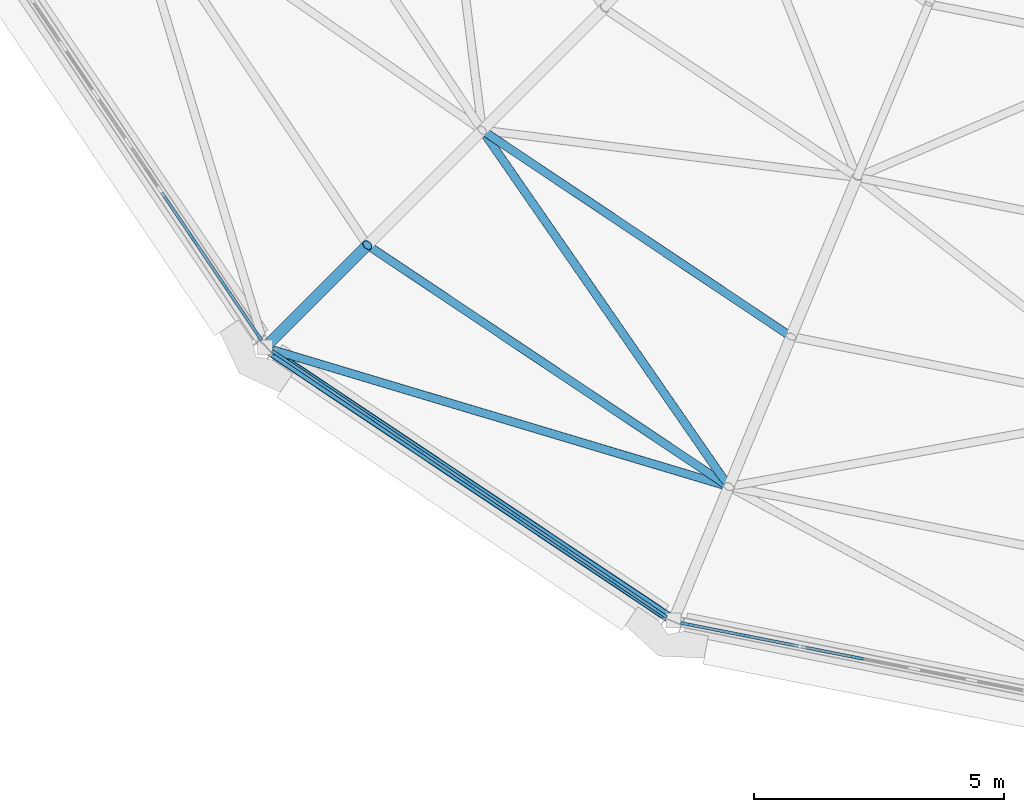
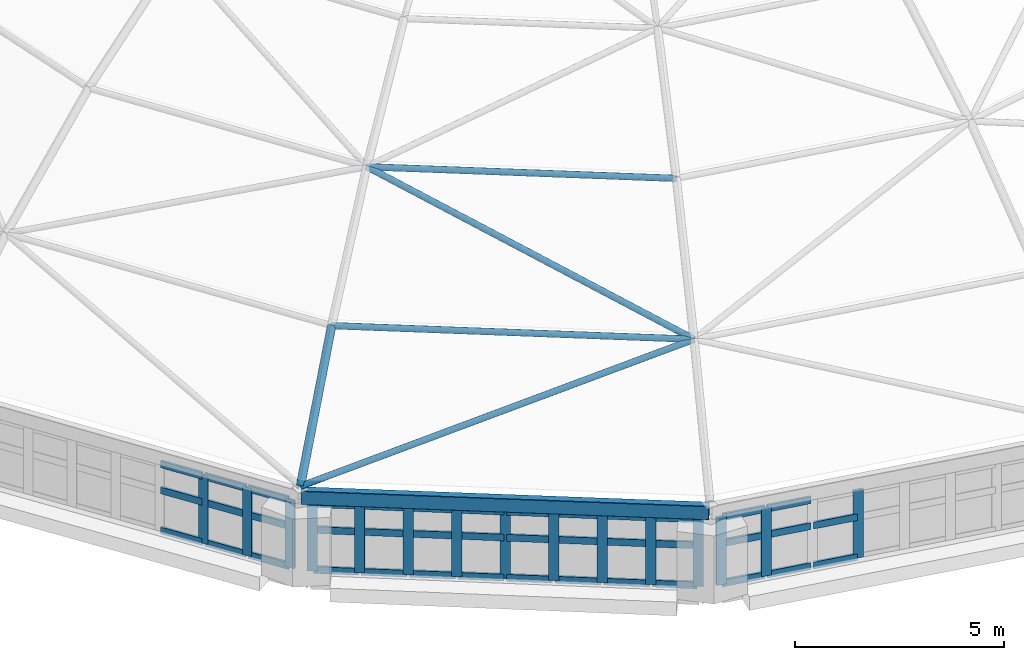
# One storey, part 12 of 68: 61 members, 1 beam, 3 elements without a shape of their own.
"""IFC4 building model written with IfcOpenShell, lengths in metres."""

from ifc_helpers import new_model, si_unit, direction, frame, origin, origin_2d, place, context, subcontext, project, spatial, rectangle, hollow_rectangle, hollow_circle, extrude, material, material_profile, profile_set, type_object, element, aggregate, save


model = new_model("IFC4")

# Units and contexts
model_context = context("Model", 3, precision=1e-05, world=origin(), true_north=direction((0.0, 1.0)))
body_context = subcontext(model_context, "Body", "Model", "MODEL_VIEW")
ifc_project = project(units=[si_unit("LENGTHUNIT", "METRE"), si_unit("AREAUNIT", "SQUARE_METRE"), si_unit("VOLUMEUNIT", "CUBIC_METRE"), si_unit("PLANEANGLEUNIT", "RADIAN"), si_unit("MASSUNIT", "GRAM", prefix="KILO")], contexts=[model_context])

# Site, building, storey
site_placement = place(None, origin())
site = spatial("IfcSite", under=ifc_project, at=site_placement, CompositionType="ELEMENT")
building_placement = place(site_placement, origin())
building = spatial("IfcBuilding", under=site, at=building_placement, Name="Kupolbacken Congress Centre", CompositionType="ELEMENT")
storey_placement = place(building_placement, frame((0.0, 0.0, 25.199951171875)))
storey = spatial("IfcBuildingStorey", under=building, at=storey_placement, Name="L07", CompositionType="ELEMENT", Elevation=25.199951171875)

# Beam
ifc_material_1 = material(Name="Steel S355", Category="steel")
ifc_material_profile_1 = material_profile(ifc_material_1, hollow_rectangle(XDim=0.199951171875, YDim=0.39990234375, WallThickness=0.012451171875, InnerFilletRadius=0.012451171875, OuterFilletRadius=0.018798828125, at=origin_2d()), Name="RHS 400 x 200 x 12.5")
ifc_profile_set_1 = profile_set([ifc_material_profile_1], Name="Steel S355")
beam_type = type_object("IfcBeamType", Name="B19 ring beam RHS 400 x 200 x 12.5", PredefinedType="BEAM", material=ifc_profile_set_1)
beam_placement = place(storey_placement, frame((25.3974609375, 68.56982421875, 2.590087890625), z_axis=(0.831474515513, -0.555562894777, 0.0), x_axis=(0.555562894777, 0.831474515513, 0.0)))
element("IfcBeam", 1, at=beam_placement, inside=storey, type_object=beam_type, Name="DM/RB/11", PredefinedType="BEAM", context=body_context, shape_type="SweptSolid", body=[
    extrude(hollow_rectangle(XDim=0.199951171875, YDim=0.39990234375, WallThickness=0.012451171875, InnerFilletRadius=0.012451171875, OuterFilletRadius=0.018798828125, at=origin_2d()), origin(), (0.0, 0.0, 1.0), 9.792724609375),
])

# Members
ifc_material_2 = material(Name="Steel S355", Category="steel")
ifc_material_profile_2 = material_profile(ifc_material_2, hollow_circle(Radius=0.109619140625, WallThickness=0.010009765625, at=origin_2d()), Name="CHS 219.1 x 10")
ifc_profile_set_2 = profile_set([ifc_material_profile_2], Name="Steel S355")
member_type_1 = type_object("IfcMemberType", Name="M15 dome rib CHS 219.1 x 10", PredefinedType="BRACE", material=ifc_profile_set_2)
member_1_placement = place(storey_placement, frame((25.380859375, 68.580810546875, 2.86279296875), z_axis=(0.514236403071, 0.514236403071, 0.686383160861), x_axis=(-0.707106781187, 0.707106781187, 0.0)))
element("IfcMember", 2, at=member_1_placement, inside=storey, type_object=member_type_1, Name="DM/RIB01-11", PredefinedType="BRACE", context=body_context, shape_type="SweptSolid", body=[
    extrude(hollow_circle(Radius=0.109619140625, WallThickness=0.010009765625, at=origin_2d()), origin(), (0.0, 0.0, 1.0), 3.988037109375),
])
ifc_material_3 = material(Name="Steel S355", Category="steel")
ifc_material_profile_3 = material_profile(ifc_material_3, hollow_circle(Radius=0.084228515625, WallThickness=0.008056640625, at=origin_2d()), Name="CHS 168.3 x 8")
ifc_profile_set_3 = profile_set([ifc_material_profile_3], Name="Steel S355")
member_type_2 = type_object("IfcMemberType", Name="M16 dome rib CHS 168.3 x 8", PredefinedType="BRACE", material=ifc_profile_set_3)
member_2_placement = place(storey_placement, frame((25.380859375, 68.580810546875, 2.86279296875), z_axis=(0.921845399462, -0.276313663236, 0.271756911597), x_axis=(0.28711912481, 0.957894883674, 0.0)))
element("IfcMember", 3, at=member_2_placement, inside=storey, type_object=member_type_2, Name="DM/DIA01-11", PredefinedType="BRACE", context=body_context, shape_type="SweptSolid", body=[
    extrude(hollow_circle(Radius=0.084228515625, WallThickness=0.008056640625, at=origin_2d()), origin(), (0.0, 0.0, 1.0), 10.072509765625),
])
member_3_placement = place(storey_placement, frame((29.729736328125, 72.9296875, 8.050048828125), z_axis=(0.547698245292, -0.791291238363, -0.271817600964), x_axis=(0.822249944467, 0.569126549041, 0.0)))
element("IfcMember", 4, at=member_3_placement, inside=storey, type_object=member_type_2, Name="DM/DIA02-11", PredefinedType="BRACE", context=body_context, shape_type="SweptSolid", body=[
    extrude(hollow_circle(Radius=0.084228515625, WallThickness=0.008056640625, at=origin_2d()), origin(), (0.0, 0.0, 1.0), 9.01318359375),
])
ifc_material_4 = material(Name="Steel S355", Category="steel")
ifc_material_profile_4 = material_profile(ifc_material_4, hollow_circle(Radius=0.084228515625, WallThickness=0.008056640625, at=origin_2d()), Name="CHS 168.3 x 8")
ifc_profile_set_4 = profile_set([ifc_material_profile_4], Name="Steel S355")
member_type_3 = type_object("IfcMemberType", Name="M17 dome ring CHS 168.3 x 8", PredefinedType="BRACE", material=ifc_profile_set_4)
member_4_placement = place(storey_placement, frame((27.431640625, 70.631591796875, 5.60009765625), z_axis=(0.831471395516, -0.555567564243, 0.0), x_axis=(0.555567564243, 0.831471395516, 0.0)))
element("IfcMember", 5, at=member_4_placement, inside=storey, type_object=member_type_3, Name="DM/RNG01-11", PredefinedType="BRACE", context=body_context, shape_type="SweptSolid", body=[
    extrude(hollow_circle(Radius=0.084228515625, WallThickness=0.008056640625, at=origin_2d()), origin(), (0.0, 0.0, 1.0), 8.700927734375),
])
member_5_placement = place(storey_placement, frame((29.729736328125, 72.9296875, 8.050048828125), z_axis=(0.831458597311, -0.555586717766, 0.0), x_axis=(0.555586717766, 0.831458597311, 0.0)))
element("IfcMember", 6, at=member_5_placement, inside=storey, type_object=member_type_3, Name="DM/RNG02-11", PredefinedType="BRACE", context=body_context, shape_type="SweptSolid", body=[
    extrude(hollow_circle(Radius=0.084228515625, WallThickness=0.008056640625, at=origin_2d()), origin(), (0.0, 0.0, 1.0), 7.432861328125),
])

# Curtain wall, members
ifc_material_5 = material(Name="Aluminium mullion-transom frame with glass", Category="aluminium")
curtain_wall_type = type_object("IfcCurtainWallType", Name="CW3 curtain wall 9830x3600", PredefinedType="NOTDEFINED", material=ifc_material_5)
curtain_wall_1_placement = place(storey_placement, origin())
curtain_wall_1 = element("IfcCurtainWall", 7, at=curtain_wall_1_placement, inside=storey, type_object=curtain_wall_type, Name="E/P/drum/cw/L07/01", PredefinedType="NOTDEFINED")
ifc_material_6 = material(Name="Aluminium alloy", Category="aluminium")
ifc_material_profile_5 = material_profile(ifc_material_6, rectangle(XDim=0.06005859375, YDim=0.25, at=origin_2d()), Name="60 x 250")
ifc_profile_set_5 = profile_set([ifc_material_profile_5], Name="Aluminium alloy")
member_type_4 = type_object("IfcMemberType", Name="MU3 mullion 60x250", PredefinedType="MULLION", material=ifc_profile_set_5)
member_6_placement = place(storey_placement, frame((23.955078125, 70.7412109375, 0.400146484375), z_axis=(0.0, 0.0, 1.0), x_axis=(0.82890762338, 0.559385512775, 0.0)))
member_6 = element("IfcMember", 8, at=member_6_placement, type_object=member_type_4, Name="CW3 mullion 7", PredefinedType="MULLION", context=body_context, shape_type="SweptSolid", body=[
    extrude(rectangle(XDim=0.06005859375, YDim=0.25, at=origin_2d()), origin(), (0.0, 0.0, 1.0), 1.989990234375),
])
member_7_placement = place(storey_placement, frame((24.607666015625, 69.774169921875, 0.400146484375), z_axis=(0.0, 0.0, 1.0), x_axis=(0.82890762338, 0.559385512775, 0.0)))
member_7 = element("IfcMember", 9, at=member_7_placement, type_object=member_type_4, Name="CW3 mullion 8", PredefinedType="MULLION", context=body_context, shape_type="SweptSolid", body=[
    extrude(rectangle(XDim=0.06005859375, YDim=0.25, at=origin_2d()), origin(), (0.0, 0.0, 1.0), 1.989990234375),
])
member_8_placement = place(storey_placement, frame((25.243408203125, 68.83203125, 0.400146484375), z_axis=(0.0, 0.0, 1.0), x_axis=(0.82890762338, 0.559385512775, 0.0)))
member_8 = element("IfcMember", 10, at=member_8_placement, type_object=member_type_4, Name="CW3 mullion 9", PredefinedType="MULLION", context=body_context, shape_type="SweptSolid", body=[
    extrude(rectangle(XDim=0.06005859375, YDim=0.25, at=origin_2d()), origin(), (0.0, 0.0, 1.0), 1.989990234375),
])

curtain_wall_2_placement = place(storey_placement, origin())
curtain_wall_2 = element("IfcCurtainWall", 11, at=curtain_wall_2_placement, inside=storey, type_object=curtain_wall_type, Name="E/P/drum/cw/L07/02", PredefinedType="NOTDEFINED")
member_9_placement = place(storey_placement, frame((25.632080078125, 68.443359375, 0.400146484375), z_axis=(0.0, 0.0, 1.0), x_axis=(0.559385512775, 0.82890762338, 0.0)))
member_9 = element("IfcMember", 12, at=member_9_placement, type_object=member_type_4, Name="CW3 mullion 1", PredefinedType="MULLION", context=body_context, shape_type="SweptSolid", body=[
    extrude(rectangle(XDim=0.06005859375, YDim=0.25, at=origin_2d()), origin(), (0.0, 0.0, 1.0), 1.989990234375),
])
member_10_placement = place(storey_placement, frame((26.57421875, 67.8076171875, 0.400146484375), z_axis=(0.0, 0.0, 1.0), x_axis=(0.559385512775, 0.82890762338, 0.0)))
member_10 = element("IfcMember", 13, at=member_10_placement, type_object=member_type_4, Name="CW3 mullion 2", PredefinedType="MULLION", context=body_context, shape_type="SweptSolid", body=[
    extrude(rectangle(XDim=0.06005859375, YDim=0.25, at=origin_2d()), origin(), (0.0, 0.0, 1.0), 1.989990234375),
])
member_11_placement = place(storey_placement, frame((27.541015625, 67.155029296875, 0.400146484375), z_axis=(0.0, 0.0, 1.0), x_axis=(0.559385512775, 0.82890762338, 0.0)))
member_11 = element("IfcMember", 14, at=member_11_placement, type_object=member_type_4, Name="CW3 mullion 3", PredefinedType="MULLION", context=body_context, shape_type="SweptSolid", body=[
    extrude(rectangle(XDim=0.06005859375, YDim=0.25, at=origin_2d()), origin(), (0.0, 0.0, 1.0), 1.989990234375),
])
member_12_placement = place(storey_placement, frame((28.508056640625, 66.50244140625, 0.400146484375), z_axis=(0.0, 0.0, 1.0), x_axis=(0.559385512775, 0.82890762338, 0.0)))
member_12 = element("IfcMember", 15, at=member_12_placement, type_object=member_type_4, Name="CW3 mullion 4", PredefinedType="MULLION", context=body_context, shape_type="SweptSolid", body=[
    extrude(rectangle(XDim=0.06005859375, YDim=0.25, at=origin_2d()), origin(), (0.0, 0.0, 1.0), 1.989990234375),
])
member_13_placement = place(storey_placement, frame((29.47509765625, 65.85009765625, 0.400146484375), z_axis=(0.0, 0.0, 1.0), x_axis=(0.559385512775, 0.82890762338, 0.0)))
member_13 = element("IfcMember", 16, at=member_13_placement, type_object=member_type_4, Name="CW3 mullion 5", PredefinedType="MULLION", context=body_context, shape_type="SweptSolid", body=[
    extrude(rectangle(XDim=0.06005859375, YDim=0.25, at=origin_2d()), origin(), (0.0, 0.0, 1.0), 1.989990234375),
])
member_14_placement = place(storey_placement, frame((30.44189453125, 65.197509765625, 0.400146484375), z_axis=(0.0, 0.0, 1.0), x_axis=(0.559385512775, 0.82890762338, 0.0)))
member_14 = element("IfcMember", 17, at=member_14_placement, type_object=member_type_4, Name="CW3 mullion 6", PredefinedType="MULLION", context=body_context, shape_type="SweptSolid", body=[
    extrude(rectangle(XDim=0.06005859375, YDim=0.25, at=origin_2d()), origin(), (0.0, 0.0, 1.0), 1.989990234375),
])
member_15_placement = place(storey_placement, frame((31.408935546875, 64.544921875, 0.400146484375), z_axis=(0.0, 0.0, 1.0), x_axis=(0.559385512775, 0.82890762338, 0.0)))
member_15 = element("IfcMember", 18, at=member_15_placement, type_object=member_type_4, Name="CW3 mullion 7", PredefinedType="MULLION", context=body_context, shape_type="SweptSolid", body=[
    extrude(rectangle(XDim=0.06005859375, YDim=0.25, at=origin_2d()), origin(), (0.0, 0.0, 1.0), 1.989990234375),
])
member_16_placement = place(storey_placement, frame((32.375732421875, 63.892333984375, 0.400146484375), z_axis=(0.0, 0.0, 1.0), x_axis=(0.559385512775, 0.82890762338, 0.0)))
member_16 = element("IfcMember", 19, at=member_16_placement, type_object=member_type_4, Name="CW3 mullion 8", PredefinedType="MULLION", context=body_context, shape_type="SweptSolid", body=[
    extrude(rectangle(XDim=0.06005859375, YDim=0.25, at=origin_2d()), origin(), (0.0, 0.0, 1.0), 1.989990234375),
])
member_17_placement = place(storey_placement, frame((33.31787109375, 63.256591796875, 0.400146484375), z_axis=(0.0, 0.0, 1.0), x_axis=(0.559385512775, 0.82890762338, 0.0)))
member_17 = element("IfcMember", 20, at=member_17_placement, type_object=member_type_4, Name="CW3 mullion 9", PredefinedType="MULLION", context=body_context, shape_type="SweptSolid", body=[
    extrude(rectangle(XDim=0.06005859375, YDim=0.25, at=origin_2d()), origin(), (0.0, 0.0, 1.0), 1.989990234375),
])

curtain_wall_3_placement = place(storey_placement, origin())
curtain_wall_3 = element("IfcCurtainWall", 21, at=curtain_wall_3_placement, inside=storey, type_object=curtain_wall_type, Name="E/P/drum/cw/L07/03", PredefinedType="NOTDEFINED")
member_18_placement = place(storey_placement, frame((33.82470703125, 63.0458984375, 0.400146484375), z_axis=(0.0, 0.0, 1.0), x_axis=(0.193182327812, 0.981162875481, 0.0)))
member_18 = element("IfcMember", 22, at=member_18_placement, type_object=member_type_4, Name="CW3 mullion 1", PredefinedType="MULLION", context=body_context, shape_type="SweptSolid", body=[
    extrude(rectangle(XDim=0.06005859375, YDim=0.25, at=origin_2d()), origin(), (0.0, 0.0, 1.0), 1.989990234375),
])
member_19_placement = place(storey_placement, frame((34.940185546875, 62.826171875, 0.400146484375), z_axis=(0.0, 0.0, 1.0), x_axis=(0.193182327812, 0.981162875481, 0.0)))
member_19 = element("IfcMember", 23, at=member_19_placement, type_object=member_type_4, Name="CW3 mullion 2", PredefinedType="MULLION", context=body_context, shape_type="SweptSolid", body=[
    extrude(rectangle(XDim=0.06005859375, YDim=0.25, at=origin_2d()), origin(), (0.0, 0.0, 1.0), 1.989990234375),
])
member_20_placement = place(storey_placement, frame((37.22998046875, 62.37548828125, 0.400146484375), z_axis=(0.0, 0.0, 1.0), x_axis=(0.193182327812, 0.981162875481, 0.0)))
member_20 = element("IfcMember", 24, at=member_20_placement, type_object=member_type_4, Name="CW3 mullion 4", PredefinedType="MULLION", context=body_context, shape_type="SweptSolid", body=[
    extrude(rectangle(XDim=0.06005859375, YDim=0.25, at=origin_2d()), origin(), (0.0, 0.0, 1.0), 1.989990234375),
])

# Member
ifc_material_7 = material(Name="Aluminium alloy", Category="aluminium")
ifc_material_profile_6 = material_profile(ifc_material_7, rectangle(XDim=0.06005859375, YDim=0.199951171875, at=origin_2d()), Name="60 x 200")
ifc_profile_set_6 = profile_set([ifc_material_profile_6], Name="Aluminium alloy")
member_type_5 = type_object("IfcMemberType", Name="TR3 transom 60x200", PredefinedType="MULLION", material=ifc_profile_set_6)
member_21_placement = place(storey_placement, frame((23.3193359375, 71.68310546875, 0.429931640625), z_axis=(0.559325057342, -0.828948418317, 0.0), x_axis=(0.828948418317, 0.559325057342, 0.0)))
member_21 = element("IfcMember", 25, at=member_21_placement, type_object=member_type_5, Name="CW3 transom 6.1", PredefinedType="MULLION", context=body_context, shape_type="SweptSolid", body=[
    extrude(rectangle(XDim=0.06005859375, YDim=0.199951171875, at=origin_2d()), origin(), (0.0, 0.0, 1.0), 1.1064453125),
])

member_22_placement = place(storey_placement, frame((23.3193359375, 71.68310546875, 1.60009765625), z_axis=(0.559325057342, -0.828948418317, 0.0), x_axis=(0.828948418317, 0.559325057342, 0.0)))
member_22 = element("IfcMember", 26, at=member_22_placement, type_object=member_type_5, Name="CW3 transom 6.2", PredefinedType="MULLION", context=body_context, shape_type="SweptSolid", body=[
    extrude(rectangle(XDim=0.06005859375, YDim=0.199951171875, at=origin_2d()), origin(), (0.0, 0.0, 1.0), 1.1064453125),
])

member_23_placement = place(storey_placement, frame((23.3193359375, 71.68310546875, 2.360107421875), z_axis=(0.559325057342, -0.828948418317, 0.0), x_axis=(0.828948418317, 0.559325057342, 0.0)))
member_23 = element("IfcMember", 27, at=member_23_placement, type_object=member_type_5, Name="CW3 transom 6.3", PredefinedType="MULLION", context=body_context, shape_type="SweptSolid", body=[
    extrude(rectangle(XDim=0.06005859375, YDim=0.199951171875, at=origin_2d()), origin(), (0.0, 0.0, 1.0), 1.1064453125),
])

member_24_placement = place(storey_placement, frame((23.971923828125, 70.71630859375, 0.429931640625), z_axis=(0.559325057342, -0.828948418317, 0.0), x_axis=(0.828948418317, 0.559325057342, 0.0)))
member_24 = element("IfcMember", 28, at=member_24_placement, type_object=member_type_5, Name="CW3 transom 7.1", PredefinedType="MULLION", context=body_context, shape_type="SweptSolid", body=[
    extrude(rectangle(XDim=0.06005859375, YDim=0.199951171875, at=origin_2d()), origin(), (0.0, 0.0, 1.0), 1.1064453125),
])

member_25_placement = place(storey_placement, frame((23.971923828125, 70.71630859375, 1.60009765625), z_axis=(0.559325057342, -0.828948418317, 0.0), x_axis=(0.828948418317, 0.559325057342, 0.0)))
member_25 = element("IfcMember", 29, at=member_25_placement, type_object=member_type_5, Name="CW3 transom 7.2", PredefinedType="MULLION", context=body_context, shape_type="SweptSolid", body=[
    extrude(rectangle(XDim=0.06005859375, YDim=0.199951171875, at=origin_2d()), origin(), (0.0, 0.0, 1.0), 1.1064453125),
])

member_26_placement = place(storey_placement, frame((23.971923828125, 70.71630859375, 2.360107421875), z_axis=(0.559325057342, -0.828948418317, 0.0), x_axis=(0.828948418317, 0.559325057342, 0.0)))
member_26 = element("IfcMember", 30, at=member_26_placement, type_object=member_type_5, Name="CW3 transom 7.3", PredefinedType="MULLION", context=body_context, shape_type="SweptSolid", body=[
    extrude(rectangle(XDim=0.06005859375, YDim=0.199951171875, at=origin_2d()), origin(), (0.0, 0.0, 1.0), 1.1064453125),
])

member_27_placement = place(storey_placement, frame((24.62451171875, 69.749267578125, 0.429931640625), z_axis=(0.559297554216, -0.828966975125, 0.0), x_axis=(0.828966975125, 0.559297554216, 0.0)))
member_27 = element("IfcMember", 31, at=member_27_placement, type_object=member_type_5, Name="CW3 transom 8.1", PredefinedType="MULLION", context=body_context, shape_type="SweptSolid", body=[
    extrude(rectangle(XDim=0.06005859375, YDim=0.199951171875, at=origin_2d()), origin(), (0.0, 0.0, 1.0), 1.076416015625),
])

member_28_placement = place(storey_placement, frame((24.62451171875, 69.749267578125, 1.60009765625), z_axis=(0.559297554216, -0.828966975125, 0.0), x_axis=(0.828966975125, 0.559297554216, 0.0)))
member_28 = element("IfcMember", 32, at=member_28_placement, type_object=member_type_5, Name="CW3 transom 8.2", PredefinedType="MULLION", context=body_context, shape_type="SweptSolid", body=[
    extrude(rectangle(XDim=0.06005859375, YDim=0.199951171875, at=origin_2d()), origin(), (0.0, 0.0, 1.0), 1.076416015625),
])

member_29_placement = place(storey_placement, frame((24.62451171875, 69.749267578125, 2.360107421875), z_axis=(0.559297554216, -0.828966975125, 0.0), x_axis=(0.828966975125, 0.559297554216, 0.0)))
member_29 = element("IfcMember", 33, at=member_29_placement, type_object=member_type_5, Name="CW3 transom 8.3", PredefinedType="MULLION", context=body_context, shape_type="SweptSolid", body=[
    extrude(rectangle(XDim=0.06005859375, YDim=0.199951171875, at=origin_2d()), origin(), (0.0, 0.0, 1.0), 1.076416015625),
])

aggregate(curtain_wall_1, [member_6, member_7, member_8, member_21, member_22, member_23, member_24, member_25, member_26, member_27, member_28, member_29])

member_30_placement = place(storey_placement, frame((25.656982421875, 68.426513671875, 0.429931640625), z_axis=(0.828966975125, -0.559297554216, 0.0), x_axis=(0.559297554216, 0.828966975125, 0.0)))
member_30 = element("IfcMember", 34, at=member_30_placement, type_object=member_type_5, Name="CW3 transom 1.1", PredefinedType="MULLION", context=body_context, shape_type="SweptSolid", body=[
    extrude(rectangle(XDim=0.06005859375, YDim=0.199951171875, at=origin_2d()), origin(), (0.0, 0.0, 1.0), 1.076416015625),
])

member_31_placement = place(storey_placement, frame((25.656982421875, 68.426513671875, 1.60009765625), z_axis=(0.828966975125, -0.559297554216, 0.0), x_axis=(0.559297554216, 0.828966975125, 0.0)))
member_31 = element("IfcMember", 35, at=member_31_placement, type_object=member_type_5, Name="CW3 transom 1.2", PredefinedType="MULLION", context=body_context, shape_type="SweptSolid", body=[
    extrude(rectangle(XDim=0.06005859375, YDim=0.199951171875, at=origin_2d()), origin(), (0.0, 0.0, 1.0), 1.076416015625),
])

member_32_placement = place(storey_placement, frame((25.656982421875, 68.426513671875, 2.360107421875), z_axis=(0.828966975125, -0.559297554216, 0.0), x_axis=(0.559297554216, 0.828966975125, 0.0)))
member_32 = element("IfcMember", 36, at=member_32_placement, type_object=member_type_5, Name="CW3 transom 1.3", PredefinedType="MULLION", context=body_context, shape_type="SweptSolid", body=[
    extrude(rectangle(XDim=0.06005859375, YDim=0.199951171875, at=origin_2d()), origin(), (0.0, 0.0, 1.0), 1.076416015625),
])

member_33_placement = place(storey_placement, frame((26.59912109375, 67.790771484375, 0.429931640625), z_axis=(0.828948418317, -0.559325057342, 0.0), x_axis=(0.559325057342, 0.828948418317, 0.0)))
member_33 = element("IfcMember", 37, at=member_33_placement, type_object=member_type_5, Name="CW3 transom 2.1", PredefinedType="MULLION", context=body_context, shape_type="SweptSolid", body=[
    extrude(rectangle(XDim=0.06005859375, YDim=0.199951171875, at=origin_2d()), origin(), (0.0, 0.0, 1.0), 1.1064453125),
])

member_34_placement = place(storey_placement, frame((26.59912109375, 67.790771484375, 1.60009765625), z_axis=(0.828948418317, -0.559325057342, 0.0), x_axis=(0.559325057342, 0.828948418317, 0.0)))
member_34 = element("IfcMember", 38, at=member_34_placement, type_object=member_type_5, Name="CW3 transom 2.2", PredefinedType="MULLION", context=body_context, shape_type="SweptSolid", body=[
    extrude(rectangle(XDim=0.06005859375, YDim=0.199951171875, at=origin_2d()), origin(), (0.0, 0.0, 1.0), 1.1064453125),
])

member_35_placement = place(storey_placement, frame((26.59912109375, 67.790771484375, 2.360107421875), z_axis=(0.828948418317, -0.559325057342, 0.0), x_axis=(0.559325057342, 0.828948418317, 0.0)))
member_35 = element("IfcMember", 39, at=member_35_placement, type_object=member_type_5, Name="CW3 transom 2.3", PredefinedType="MULLION", context=body_context, shape_type="SweptSolid", body=[
    extrude(rectangle(XDim=0.06005859375, YDim=0.199951171875, at=origin_2d()), origin(), (0.0, 0.0, 1.0), 1.1064453125),
])

member_36_placement = place(storey_placement, frame((27.56591796875, 67.13818359375, 0.429931640625), z_axis=(0.828948418317, -0.559325057342, 0.0), x_axis=(0.559325057342, 0.828948418317, 0.0)))
member_36 = element("IfcMember", 40, at=member_36_placement, type_object=member_type_5, Name="CW3 transom 3.1", PredefinedType="MULLION", context=body_context, shape_type="SweptSolid", body=[
    extrude(rectangle(XDim=0.06005859375, YDim=0.199951171875, at=origin_2d()), origin(), (0.0, 0.0, 1.0), 1.1064453125),
])

member_37_placement = place(storey_placement, frame((27.56591796875, 67.13818359375, 1.60009765625), z_axis=(0.828948418317, -0.559325057342, 0.0), x_axis=(0.559325057342, 0.828948418317, 0.0)))
member_37 = element("IfcMember", 41, at=member_37_placement, type_object=member_type_5, Name="CW3 transom 3.2", PredefinedType="MULLION", context=body_context, shape_type="SweptSolid", body=[
    extrude(rectangle(XDim=0.06005859375, YDim=0.199951171875, at=origin_2d()), origin(), (0.0, 0.0, 1.0), 1.1064453125),
])

member_38_placement = place(storey_placement, frame((27.56591796875, 67.13818359375, 2.360107421875), z_axis=(0.828948418317, -0.559325057342, 0.0), x_axis=(0.559325057342, 0.828948418317, 0.0)))
member_38 = element("IfcMember", 42, at=member_38_placement, type_object=member_type_5, Name="CW3 transom 3.3", PredefinedType="MULLION", context=body_context, shape_type="SweptSolid", body=[
    extrude(rectangle(XDim=0.06005859375, YDim=0.199951171875, at=origin_2d()), origin(), (0.0, 0.0, 1.0), 1.1064453125),
])

member_39_placement = place(storey_placement, frame((28.532958984375, 66.48583984375, 0.429931640625), z_axis=(0.8288461165, -0.559476643983, 0.0), x_axis=(0.559476643983, 0.8288461165, 0.0)))
member_39 = element("IfcMember", 43, at=member_39_placement, type_object=member_type_5, Name="CW3 transom 4.1", PredefinedType="MULLION", context=body_context, shape_type="SweptSolid", body=[
    extrude(rectangle(XDim=0.06005859375, YDim=0.199951171875, at=origin_2d()), origin(), (0.0, 0.0, 1.0), 1.106689453125),
])

member_40_placement = place(storey_placement, frame((28.532958984375, 66.48583984375, 1.60009765625), z_axis=(0.8288461165, -0.559476643983, 0.0), x_axis=(0.559476643983, 0.8288461165, 0.0)))
member_40 = element("IfcMember", 44, at=member_40_placement, type_object=member_type_5, Name="CW3 transom 4.2", PredefinedType="MULLION", context=body_context, shape_type="SweptSolid", body=[
    extrude(rectangle(XDim=0.06005859375, YDim=0.199951171875, at=origin_2d()), origin(), (0.0, 0.0, 1.0), 1.106689453125),
])

member_41_placement = place(storey_placement, frame((28.532958984375, 66.48583984375, 2.360107421875), z_axis=(0.8288461165, -0.559476643983, 0.0), x_axis=(0.559476643983, 0.8288461165, 0.0)))
member_41 = element("IfcMember", 45, at=member_41_placement, type_object=member_type_5, Name="CW3 transom 4.3", PredefinedType="MULLION", context=body_context, shape_type="SweptSolid", body=[
    extrude(rectangle(XDim=0.06005859375, YDim=0.199951171875, at=origin_2d()), origin(), (0.0, 0.0, 1.0), 1.106689453125),
])

member_42_placement = place(storey_placement, frame((29.499755859375, 65.833251953125, 0.429931640625), z_axis=(0.828948418317, -0.559325057342, 0.0), x_axis=(0.559325057342, 0.828948418317, 0.0)))
member_42 = element("IfcMember", 46, at=member_42_placement, type_object=member_type_5, Name="CW3 transom 5.1", PredefinedType="MULLION", context=body_context, shape_type="SweptSolid", body=[
    extrude(rectangle(XDim=0.06005859375, YDim=0.199951171875, at=origin_2d()), origin(), (0.0, 0.0, 1.0), 1.1064453125),
])

member_43_placement = place(storey_placement, frame((29.499755859375, 65.833251953125, 1.60009765625), z_axis=(0.828948418317, -0.559325057342, 0.0), x_axis=(0.559325057342, 0.828948418317, 0.0)))
member_43 = element("IfcMember", 47, at=member_43_placement, type_object=member_type_5, Name="CW3 transom 5.2", PredefinedType="MULLION", context=body_context, shape_type="SweptSolid", body=[
    extrude(rectangle(XDim=0.06005859375, YDim=0.199951171875, at=origin_2d()), origin(), (0.0, 0.0, 1.0), 1.1064453125),
])

member_44_placement = place(storey_placement, frame((29.499755859375, 65.833251953125, 2.360107421875), z_axis=(0.828948418317, -0.559325057342, 0.0), x_axis=(0.559325057342, 0.828948418317, 0.0)))
member_44 = element("IfcMember", 48, at=member_44_placement, type_object=member_type_5, Name="CW3 transom 5.3", PredefinedType="MULLION", context=body_context, shape_type="SweptSolid", body=[
    extrude(rectangle(XDim=0.06005859375, YDim=0.199951171875, at=origin_2d()), origin(), (0.0, 0.0, 1.0), 1.1064453125),
])

member_45_placement = place(storey_placement, frame((30.466796875, 65.1806640625, 0.429931640625), z_axis=(0.828948418317, -0.559325057342, 0.0), x_axis=(0.559325057342, 0.828948418317, 0.0)))
member_45 = element("IfcMember", 49, at=member_45_placement, type_object=member_type_5, Name="CW3 transom 6.1", PredefinedType="MULLION", context=body_context, shape_type="SweptSolid", body=[
    extrude(rectangle(XDim=0.06005859375, YDim=0.199951171875, at=origin_2d()), origin(), (0.0, 0.0, 1.0), 1.1064453125),
])

member_46_placement = place(storey_placement, frame((30.466796875, 65.1806640625, 1.60009765625), z_axis=(0.828948418317, -0.559325057342, 0.0), x_axis=(0.559325057342, 0.828948418317, 0.0)))
member_46 = element("IfcMember", 50, at=member_46_placement, type_object=member_type_5, Name="CW3 transom 6.2", PredefinedType="MULLION", context=body_context, shape_type="SweptSolid", body=[
    extrude(rectangle(XDim=0.06005859375, YDim=0.199951171875, at=origin_2d()), origin(), (0.0, 0.0, 1.0), 1.1064453125),
])

member_47_placement = place(storey_placement, frame((30.466796875, 65.1806640625, 2.360107421875), z_axis=(0.828948418317, -0.559325057342, 0.0), x_axis=(0.559325057342, 0.828948418317, 0.0)))
member_47 = element("IfcMember", 51, at=member_47_placement, type_object=member_type_5, Name="CW3 transom 6.3", PredefinedType="MULLION", context=body_context, shape_type="SweptSolid", body=[
    extrude(rectangle(XDim=0.06005859375, YDim=0.199951171875, at=origin_2d()), origin(), (0.0, 0.0, 1.0), 1.1064453125),
])

member_48_placement = place(storey_placement, frame((31.433837890625, 64.528076171875, 0.429931640625), z_axis=(0.828948418317, -0.559325057342, 0.0), x_axis=(0.559325057342, 0.828948418317, 0.0)))
member_48 = element("IfcMember", 52, at=member_48_placement, type_object=member_type_5, Name="CW3 transom 7.1", PredefinedType="MULLION", context=body_context, shape_type="SweptSolid", body=[
    extrude(rectangle(XDim=0.06005859375, YDim=0.199951171875, at=origin_2d()), origin(), (0.0, 0.0, 1.0), 1.1064453125),
])

member_49_placement = place(storey_placement, frame((31.433837890625, 64.528076171875, 1.60009765625), z_axis=(0.828948418317, -0.559325057342, 0.0), x_axis=(0.559325057342, 0.828948418317, 0.0)))
member_49 = element("IfcMember", 53, at=member_49_placement, type_object=member_type_5, Name="CW3 transom 7.2", PredefinedType="MULLION", context=body_context, shape_type="SweptSolid", body=[
    extrude(rectangle(XDim=0.06005859375, YDim=0.199951171875, at=origin_2d()), origin(), (0.0, 0.0, 1.0), 1.1064453125),
])

member_50_placement = place(storey_placement, frame((31.433837890625, 64.528076171875, 2.360107421875), z_axis=(0.828948418317, -0.559325057342, 0.0), x_axis=(0.559325057342, 0.828948418317, 0.0)))
member_50 = element("IfcMember", 54, at=member_50_placement, type_object=member_type_5, Name="CW3 transom 7.3", PredefinedType="MULLION", context=body_context, shape_type="SweptSolid", body=[
    extrude(rectangle(XDim=0.06005859375, YDim=0.199951171875, at=origin_2d()), origin(), (0.0, 0.0, 1.0), 1.1064453125),
])

member_51_placement = place(storey_placement, frame((32.400634765625, 63.87548828125, 0.429931640625), z_axis=(0.828966975125, -0.559297554216, 0.0), x_axis=(0.559297554216, 0.828966975125, 0.0)))
member_51 = element("IfcMember", 55, at=member_51_placement, type_object=member_type_5, Name="CW3 transom 8.1", PredefinedType="MULLION", context=body_context, shape_type="SweptSolid", body=[
    extrude(rectangle(XDim=0.06005859375, YDim=0.199951171875, at=origin_2d()), origin(), (0.0, 0.0, 1.0), 1.076416015625),
])

member_52_placement = place(storey_placement, frame((32.400634765625, 63.87548828125, 1.60009765625), z_axis=(0.828966975125, -0.559297554216, 0.0), x_axis=(0.559297554216, 0.828966975125, 0.0)))
member_52 = element("IfcMember", 56, at=member_52_placement, type_object=member_type_5, Name="CW3 transom 8.2", PredefinedType="MULLION", context=body_context, shape_type="SweptSolid", body=[
    extrude(rectangle(XDim=0.06005859375, YDim=0.199951171875, at=origin_2d()), origin(), (0.0, 0.0, 1.0), 1.076416015625),
])

member_53_placement = place(storey_placement, frame((32.400634765625, 63.87548828125, 2.360107421875), z_axis=(0.828966975125, -0.559297554216, 0.0), x_axis=(0.559297554216, 0.828966975125, 0.0)))
member_53 = element("IfcMember", 57, at=member_53_placement, type_object=member_type_5, Name="CW3 transom 8.3", PredefinedType="MULLION", context=body_context, shape_type="SweptSolid", body=[
    extrude(rectangle(XDim=0.06005859375, YDim=0.199951171875, at=origin_2d()), origin(), (0.0, 0.0, 1.0), 1.076416015625),
])

aggregate(curtain_wall_2, [member_9, member_10, member_11, member_12, member_13, member_14, member_15, member_16, member_17, member_30, member_31, member_32, member_33, member_34, member_35, member_36, member_37, member_38, member_39, member_40, member_41, member_42, member_43, member_44, member_45, member_46, member_47, member_48, member_49, member_50, member_51, member_52, member_53])

member_54_placement = place(storey_placement, frame((33.854248046875, 63.0400390625, 0.429931640625), z_axis=(0.981169108955, -0.193150665626, 0.0), x_axis=(0.193150665626, 0.981169108955, 0.0)))
member_54 = element("IfcMember", 58, at=member_54_placement, type_object=member_type_5, Name="CW3 transom 1.1", PredefinedType="MULLION", context=body_context, shape_type="SweptSolid", body=[
    extrude(rectangle(XDim=0.06005859375, YDim=0.199951171875, at=origin_2d()), origin(), (0.0, 0.0, 1.0), 1.076904296875),
])

member_55_placement = place(storey_placement, frame((33.854248046875, 63.0400390625, 1.60009765625), z_axis=(0.981169108955, -0.193150665626, 0.0), x_axis=(0.193150665626, 0.981169108955, 0.0)))
member_55 = element("IfcMember", 59, at=member_55_placement, type_object=member_type_5, Name="CW3 transom 1.2", PredefinedType="MULLION", context=body_context, shape_type="SweptSolid", body=[
    extrude(rectangle(XDim=0.06005859375, YDim=0.199951171875, at=origin_2d()), origin(), (0.0, 0.0, 1.0), 1.076904296875),
])

member_56_placement = place(storey_placement, frame((33.854248046875, 63.0400390625, 2.360107421875), z_axis=(0.981169108955, -0.193150665626, 0.0), x_axis=(0.193150665626, 0.981169108955, 0.0)))
member_56 = element("IfcMember", 60, at=member_56_placement, type_object=member_type_5, Name="CW3 transom 1.3", PredefinedType="MULLION", context=body_context, shape_type="SweptSolid", body=[
    extrude(rectangle(XDim=0.06005859375, YDim=0.199951171875, at=origin_2d()), origin(), (0.0, 0.0, 1.0), 1.076904296875),
])

member_57_placement = place(storey_placement, frame((34.9697265625, 62.820556640625, 0.429931640625), z_axis=(0.981153342462, -0.193230739208, 0.0), x_axis=(0.193230739208, 0.981153342462, 0.0)))
member_57 = element("IfcMember", 61, at=member_57_placement, type_object=member_type_5, Name="CW3 transom 2.1", PredefinedType="MULLION", context=body_context, shape_type="SweptSolid", body=[
    extrude(rectangle(XDim=0.06005859375, YDim=0.199951171875, at=origin_2d()), origin(), (0.0, 0.0, 1.0), 1.106689453125),
])

member_58_placement = place(storey_placement, frame((34.9697265625, 62.820556640625, 1.60009765625), z_axis=(0.981153342462, -0.193230739208, 0.0), x_axis=(0.193230739208, 0.981153342462, 0.0)))
member_58 = element("IfcMember", 62, at=member_58_placement, type_object=member_type_5, Name="CW3 transom 2.2", PredefinedType="MULLION", context=body_context, shape_type="SweptSolid", body=[
    extrude(rectangle(XDim=0.06005859375, YDim=0.199951171875, at=origin_2d()), origin(), (0.0, 0.0, 1.0), 1.106689453125),
])

member_59_placement = place(storey_placement, frame((34.9697265625, 62.820556640625, 2.360107421875), z_axis=(0.981153342462, -0.193230739208, 0.0), x_axis=(0.193230739208, 0.981153342462, 0.0)))
member_59 = element("IfcMember", 63, at=member_59_placement, type_object=member_type_5, Name="CW3 transom 2.3", PredefinedType="MULLION", context=body_context, shape_type="SweptSolid", body=[
    extrude(rectangle(XDim=0.06005859375, YDim=0.199951171875, at=origin_2d()), origin(), (0.0, 0.0, 1.0), 1.106689453125),
])

member_60_placement = place(storey_placement, frame((36.114501953125, 62.594970703125, 0.429931640625), z_axis=(0.981161575945, -0.193188927968, 0.0), x_axis=(0.193188927968, 0.981161575945, 0.0)))
member_60 = element("IfcMember", 64, at=member_60_placement, type_object=member_type_5, Name="CW3 transom 3.1", PredefinedType="MULLION", context=body_context, shape_type="SweptSolid", body=[
    extrude(rectangle(XDim=0.06005859375, YDim=0.199951171875, at=origin_2d()), origin(), (0.0, 0.0, 1.0), 1.10693359375),
])

member_61_placement = place(storey_placement, frame((36.114501953125, 62.594970703125, 1.60009765625), z_axis=(0.981161575945, -0.193188927968, 0.0), x_axis=(0.193188927968, 0.981161575945, 0.0)))
member_61 = element("IfcMember", 65, at=member_61_placement, type_object=member_type_5, Name="CW3 transom 3.2", PredefinedType="MULLION", context=body_context, shape_type="SweptSolid", body=[
    extrude(rectangle(XDim=0.06005859375, YDim=0.199951171875, at=origin_2d()), origin(), (0.0, 0.0, 1.0), 1.10693359375),
])

aggregate(curtain_wall_3, [member_18, member_19, member_20, member_54, member_55, member_56, member_57, member_58, member_59, member_60, member_61])

save(model, "model.ifc")
